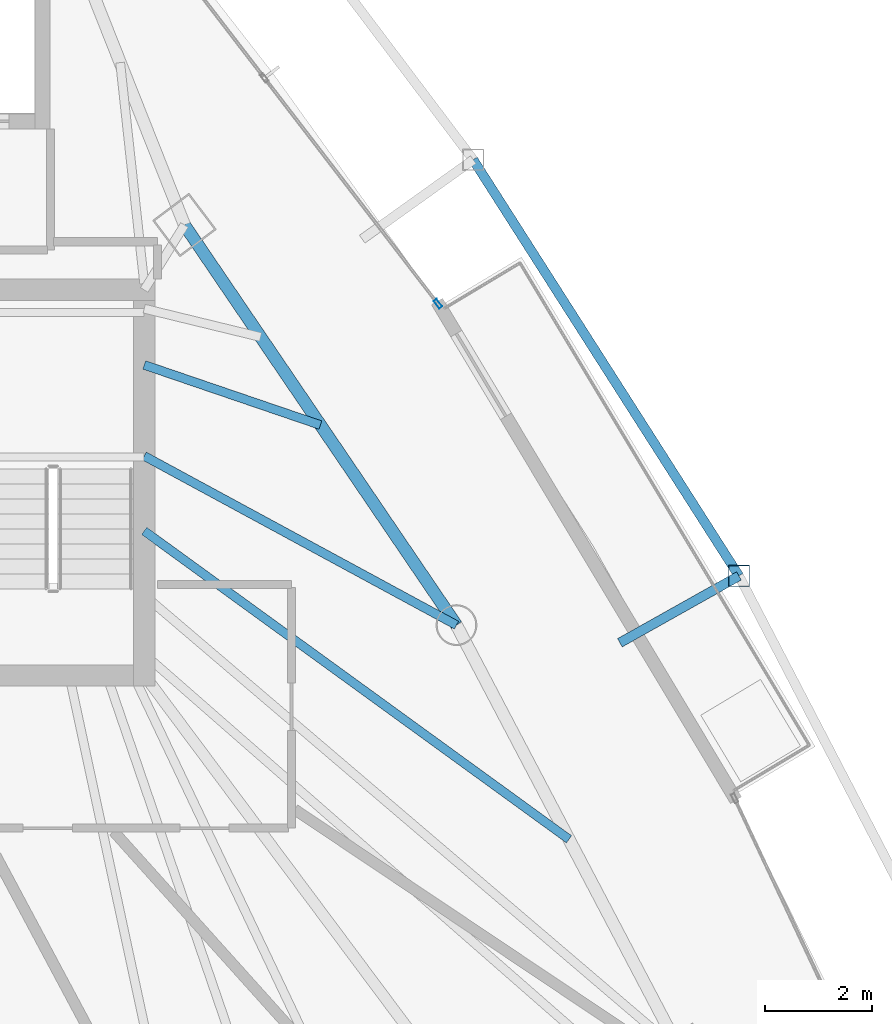
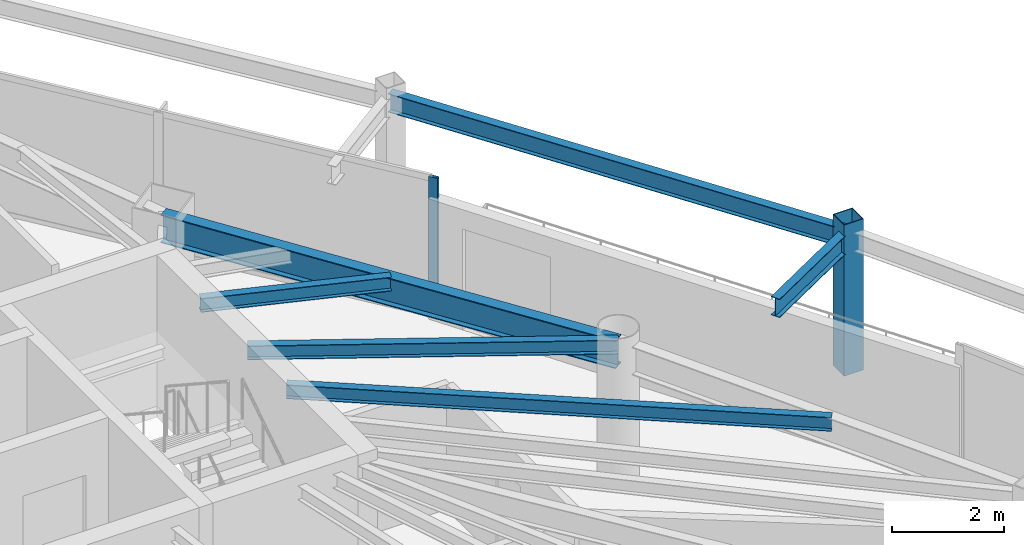
# One storey, part 20 of 30: 6 beams, 2 members, 1 element without a shape of its own.
"""IFC4 building model written with IfcOpenShell, lengths in metres."""

import ifcopenshell
import ifcopenshell.guid

model = None  # the IFC model being written
_history = None  # IfcOwnerHistory: only IFC2X3 demands one
_inside = {}  # id of a spatial element -> (the spatial element, [elements in it])
_under = {}  # id of a project, library or spatial element -> (it, [spatial elements below it])
_declared = {}  # id of a project -> (the project, [libraries it declares])
_typed = {}  # id of a type object -> (the type object, [elements of that type])
_made_of = {}  # id of a material, layer set ... -> (it, [elements and type objects made of it])


def new_model(schema):
    """Start an empty IFC model of exactly this schema.

    Asked for "IFC4X3", IfcOpenShell would pick the latest addendum, in which some entities
    have other attributes; the version numbers below select the first issue.
    IFC2X3 requires an IfcOwnerHistory on every rooted entity: one is made here for all.
    """
    global model, _history
    if schema == "IFC4X3":
        model = ifcopenshell.file(schema_version=(4, 3, 0, 0))
    else:
        model = ifcopenshell.file(schema=schema)
    _inside.clear()
    _under.clear()
    _declared.clear()
    _typed.clear()
    _made_of.clear()
    _history = None
    if model.schema == "IFC2X3":
        org = make("IfcOrganization", Name="unknown")
        user = make(
            "IfcPersonAndOrganization",
            ThePerson=make("IfcPerson", FamilyName="unknown"),
            TheOrganization=org,
        )
        app = make(
            "IfcApplication",
            ApplicationDeveloper=org,
            Version="unknown",
            ApplicationFullName="unknown",
            ApplicationIdentifier="unknown",
        )
        _history = make(
            "IfcOwnerHistory",
            OwningUser=user,
            OwningApplication=app,
            ChangeAction="ADDED",
            CreationDate=0,
        )
    return model


def make(cls, **values):
    """One entity of the class cls with the attributes given. An attribute that is None is left unset."""
    return model.create_entity(
        cls, **{name: value for name, value in values.items() if value is not None}
    )


def rooted(cls, **values):
    """An entity with a GlobalId (a new one), such as an element, a storey or a relation."""
    return make(cls, GlobalId=ifcopenshell.guid.new(), OwnerHistory=_history, **values)


def si_unit(unit_type, name, prefix=None):
    """IfcSIUnit, for example si_unit("LENGTHUNIT", "METRE", prefix="MILLI")."""
    return make("IfcSIUnit", UnitType=unit_type, Prefix=prefix, Name=name)


def assignment(units):
    """IfcUnitAssignment: the units of a project."""
    return None if units is None else make("IfcUnitAssignment", Units=units)


def point(xyz):
    """IfcCartesianPoint."""
    return None if xyz is None else make("IfcCartesianPoint", Coordinates=xyz)


def direction(xyz):
    """IfcDirection."""
    return None if xyz is None else make("IfcDirection", DirectionRatios=xyz)


def frame(location, z_axis=None, x_axis=None):
    """IfcAxis2Placement3D, a coordinate frame: its origin and axes. An axis left out is left unset."""
    return make(
        "IfcAxis2Placement3D",
        Location=point(location),
        Axis=direction(z_axis),
        RefDirection=direction(x_axis),
    )


def frame_2d(location, x_axis=None):
    """IfcAxis2Placement2D, a coordinate frame in the plane: its origin and x axis."""
    return make(
        "IfcAxis2Placement2D", Location=point(location), RefDirection=direction(x_axis)
    )


def origin():
    """The frame at (0, 0, 0) with its axes left unset."""
    return frame((0.0, 0.0, 0.0))


def origin_2d():
    """The frame at (0, 0) in the plane with its x axis left unset."""
    return frame_2d((0.0, 0.0))


def place(relative_to, where):
    """IfcLocalPlacement: puts the frame where relative to a parent placement (None: the world)."""
    return make(
        "IfcLocalPlacement", PlacementRelTo=relative_to, RelativePlacement=where
    )


def context(
    kind, dimensions, precision=None, world=None, true_north=None, identifier=None
):
    """IfcGeometricRepresentationContext, for example the 3D "Model" context."""
    return make(
        "IfcGeometricRepresentationContext",
        ContextIdentifier=identifier,
        ContextType=kind,
        CoordinateSpaceDimension=dimensions,
        Precision=precision,
        WorldCoordinateSystem=world,
        TrueNorth=true_north,
    )


def subcontext(parent, identifier, kind, view, scale=None):
    """IfcGeometricRepresentationSubContext, for example "Body" below "Model"."""
    return make(
        "IfcGeometricRepresentationSubContext",
        ContextIdentifier=identifier,
        ContextType=kind,
        ParentContext=parent,
        TargetScale=scale,
        TargetView=view,
    )


def project(units=None, contexts=None):
    """IfcProject with its units and contexts."""
    return rooted(
        "IfcProject",
        Name="project",
        RepresentationContexts=contexts,
        UnitsInContext=assignment(units),
    )


def spatial(cls, under=None, at=None, **own):
    """A site, building, storey or space (cls), placed at a placement, below another one or the project."""
    s = rooted(cls, ObjectPlacement=at, **own)
    if under is not None:
        _under.setdefault(under.id(), (under, []))[1].append(s)
    return s


def profile(cls, at=None, kind="AREA", **sizes):
    """A parametric profile (cls). Its sizes go by their IFC names, for example OverallWidth=200.0."""
    return make(cls, ProfileType=kind, Position=at, **sizes)


def hollow_rectangle(**sizes):
    """IfcRectangleHollowProfileDef."""
    return profile("IfcRectangleHollowProfileDef", **sizes)


def i_section(**sizes):
    """IfcIShapeProfileDef."""
    return profile("IfcIShapeProfileDef", **sizes)


def extrude(swept, where, along, depth):
    """IfcExtrudedAreaSolid: the profile swept, set in the frame where, extruded along a direction by depth."""
    return make(
        "IfcExtrudedAreaSolid",
        SweptArea=swept,
        Position=where,
        ExtrudedDirection=direction(along),
        Depth=depth,
    )


def shape(context_of_items, identifier, shape_type, items):
    """IfcShapeRepresentation: the items that make up one representation, for example the "Body"."""
    return make(
        "IfcShapeRepresentation",
        ContextOfItems=context_of_items,
        RepresentationIdentifier=identifier,
        RepresentationType=shape_type,
        Items=items,
    )


def material(Name=None, Category=None):
    """IfcMaterial."""
    return make("IfcMaterial", Name=Name, Category=Category)


def layer(
    of_material, thickness, ventilated=None, Name=None, Category=None, Priority=None
):
    """IfcMaterialLayer: one layer of a wall or slab, of a material (None: an air gap)."""
    return make(
        "IfcMaterialLayer",
        Material=of_material,
        LayerThickness=thickness,
        IsVentilated=ventilated,
        Name=Name,
        Category=Category,
        Priority=Priority,
    )


def layer_set(layers, Name=None):
    """IfcMaterialLayerSet."""
    return make("IfcMaterialLayerSet", MaterialLayers=layers, LayerSetName=Name)


def material_profile(
    of_material, cross_section, Name=None, Category=None, Priority=None
):
    """IfcMaterialProfile: a cross section and its material."""
    return make(
        "IfcMaterialProfile",
        Name=Name,
        Material=of_material,
        Profile=cross_section,
        Priority=Priority,
        Category=Category,
    )


def profile_set(profiles, Name=None, composite=None):
    """IfcMaterialProfileSet."""
    return make(
        "IfcMaterialProfileSet",
        Name=Name,
        MaterialProfiles=profiles,
        CompositeProfile=composite,
    )


def made_of(thing, what):
    """Note that an element or type object is made of a material, layer set ...; save() writes the relation."""
    if what is not None:
        _made_of.setdefault(what.id(), (what, []))[1].append(thing)
    return thing


def type_object(cls, material=None, **own):
    """A type object (cls), such as IfcWallType, which elements share."""
    return made_of(rooted(cls, **own), material)


def element(
    cls,
    number,
    at=None,
    inside=None,
    cuts=None,
    type_object=None,
    material=None,
    context=None,
    identifier="Body",
    shape_type=None,
    held_by="IfcProductDefinitionShape",
    body=None,
    shapes=None,
    **own,
):
    """One element of the class cls, such as IfcWall. Its Tag is "e" and its number.

    at: its placement. inside: the storey or other place that contains it. cuts: it is an
    opening in that element (IfcRelVoidsElement). A single representation is given by context,
    identifier, shape_type and body (its items); several are given by shapes. held_by: the class
    of the entity that holds the representations. save() writes the other relations.
    """
    e = rooted(cls, Tag="e%d" % number, ObjectPlacement=at, **own)
    if body is not None:
        shapes = [shape(context, identifier, shape_type, body)]
    if shapes is not None:
        e.Representation = make(held_by, Representations=shapes)
    if inside is not None:
        _inside.setdefault(inside.id(), (inside, []))[1].append(e)
    if cuts is not None:
        rooted(
            "IfcRelVoidsElement", RelatingBuildingElement=cuts, RelatedOpeningElement=e
        )
    if type_object is not None:
        _typed.setdefault(type_object.id(), (type_object, []))[1].append(e)
    return made_of(e, material)


def aggregate(whole, parts):
    """IfcRelAggregates: a whole, such as a stair, and the parts it consists of."""
    return rooted("IfcRelAggregates", RelatingObject=whole, RelatedObjects=parts)


def save(model, path):
    """Write the relations noted so far, then the file.

    IfcRelAggregates (storeys below a building ...), IfcRelContainedInSpatialStructure (elements
    in a storey), IfcRelDefinesByType, IfcRelAssociatesMaterial and IfcRelDeclares: one each for
    every whole, place, type object, material and project.
    """
    for whole, parts in _under.values():
        aggregate(whole, parts)
    for where, things in _inside.values():
        rooted(
            "IfcRelContainedInSpatialStructure",
            RelatedElements=things,
            RelatingStructure=where,
        )
    for kind, things in _typed.values():
        rooted("IfcRelDefinesByType", RelatedObjects=things, RelatingType=kind)
    for what, things in _made_of.values():
        rooted("IfcRelAssociatesMaterial", RelatedObjects=things, RelatingMaterial=what)
    for by, libraries in _declared.values():
        rooted("IfcRelDeclares", RelatingContext=by, RelatedDefinitions=libraries)
    model.write(path)


model = new_model("IFC4")

# Units and contexts
model_context = context("Model", 3, precision=1e-05, world=origin(), true_north=direction((0.0, 1.0)))
body_context = subcontext(model_context, "Body", "Model", "MODEL_VIEW")
ifc_project = project(units=[si_unit("LENGTHUNIT", "METRE"), si_unit("AREAUNIT", "SQUARE_METRE"), si_unit("VOLUMEUNIT", "CUBIC_METRE"), si_unit("PLANEANGLEUNIT", "RADIAN"), si_unit("MASSUNIT", "GRAM", prefix="KILO")], contexts=[model_context])

# Site, building, storey
site_placement = place(None, origin())
site = spatial("IfcSite", under=ifc_project, at=site_placement, CompositionType="ELEMENT")
building_placement = place(site_placement, origin())
building = spatial("IfcBuilding", under=site, at=building_placement, Name="Orvanel Arch Residences", CompositionType="ELEMENT")
storey_placement = place(building_placement, frame((0.0, 0.0, 180.35009765625)))
storey = spatial("IfcBuildingStorey", under=building, at=storey_placement, Name="L51", CompositionType="ELEMENT", Elevation=180.35009765625)

# Beams
ifc_material_1 = material(Name="Structural steel AS/NZS 3679.1 Grade 300 (300 MPa)", Category="steel")
ifc_material_profile_1 = material_profile(ifc_material_1, i_section(OverallWidth=0.1650390625, OverallDepth=0.303955078125, WebThickness=0.006103515625, FlangeThickness=0.01025390625, at=origin_2d()), Name="310UB40.4")
ifc_profile_set_1 = profile_set([ifc_material_profile_1], Name="Structural steel AS/NZS 3679.1 Grade 300 (300 MPa)")
beam_type_1 = type_object("IfcBeamType", Name="BJ-310UB", PredefinedType="JOIST", material=ifc_profile_set_1)
beam_1_placement = place(storey_placement, frame((39.60009765625, 30.800048828125, 2.907958984375), z_axis=(0.87925534649, -0.476350748576, 0.0), x_axis=(0.476350748576, 0.87925534649, 0.0)))
element("IfcBeam", 1, at=beam_1_placement, inside=storey, type_object=beam_type_1, Name="L51 NE Wing Floor Joist", PredefinedType="JOIST", context=body_context, shape_type="SweptSolid", body=[
    extrude(i_section(OverallWidth=0.1650390625, OverallDepth=0.303955078125, WebThickness=0.006103515625, FlangeThickness=0.01025390625, at=origin_2d()), origin(), (0.0, 0.0, 1.0), 6.631591796875),
])
beam_2_placement = place(storey_placement, frame((39.60009765625, 32.5, 2.907958984375), z_axis=(0.9464126781, -0.322959815969, 0.0), x_axis=(0.322959815969, 0.9464126781, 0.0)))
element("IfcBeam", 2, at=beam_2_placement, inside=storey, type_object=beam_type_1, Name="L51 ENE Wing Floor Joist", PredefinedType="JOIST", context=body_context, shape_type="SweptSolid", body=[
    extrude(i_section(OverallWidth=0.1650390625, OverallDepth=0.303955078125, WebThickness=0.006103515625, FlangeThickness=0.01025390625, at=origin_2d()), origin(), (0.0, 0.0, 1.0), 3.477294921875),
])
beam_3_placement = place(storey_placement, frame((39.60009765625, 29.39990234375, 2.907958984375), z_axis=(0.809261403954, -0.587448704203, 0.0), x_axis=(0.587448704203, 0.809261403954, 0.0)))
element("IfcBeam", 3, at=beam_3_placement, inside=storey, type_object=beam_type_1, Name="L51 CTE Wing Floor Joist", PredefinedType="JOIST", context=body_context, shape_type="SweptSolid", body=[
    extrude(i_section(OverallWidth=0.1650390625, OverallDepth=0.303955078125, WebThickness=0.006103515625, FlangeThickness=0.01025390625, at=origin_2d()), origin(), (0.0, 0.0, 1.0), 9.80126953125),
])

# Curtain wall, member
ifc_material_2 = material(Name="Bronze-anodised aluminium AA6063-T6", Category="aluminium")
ifc_layer = layer(ifc_material_2, 0.179931640625)
ifc_layer_set = layer_set([ifc_layer], Name="Bronze-anodised aluminium AA6063-T6")
curtain_wall_type = type_object("IfcCurtainWallType", Name="CW3-MID-SYS", PredefinedType="NOTDEFINED", material=ifc_layer_set)
curtain_wall_placement = place(storey_placement, origin())
curtain_wall = element("IfcCurtainWall", 4, at=curtain_wall_placement, inside=storey, type_object=curtain_wall_type, Name="L51 CW3-MID-SYS Unitised Curtain Wall", PredefinedType="NOTDEFINED")
ifc_material_profile_2 = material_profile(ifc_material_2, hollow_rectangle(XDim=0.070068359375, YDim=0.179931640625, WallThickness=0.00439453125, at=origin_2d()), Name="ALU180x70x4.5")
ifc_profile_set_2 = profile_set([ifc_material_profile_2], Name="Bronze-anodised aluminium AA6063-T6")
member_type_1 = type_object("IfcMemberType", Name="MUL-180x70", PredefinedType="MULLION", material=ifc_profile_set_2)
member_1_placement = place(storey_placement, frame((45.085693359375, 33.642822265625, 0.0), z_axis=(0.0, 0.0, 1.0), x_axis=(-0.792760568197, -0.609533166868, 0.0)))
member_1 = element("IfcMember", 5, at=member_1_placement, type_object=member_type_1, Name="CW-S3 mullion 1", PredefinedType="MULLION", context=body_context, shape_type="SweptSolid", body=[
    extrude(hollow_rectangle(XDim=0.070068359375, YDim=0.179931640625, WallThickness=0.00439453125, at=origin_2d()), origin(), (0.0, 0.0, 1.0), 3.059814453125),
])
aggregate(curtain_wall, [member_1])

# Beams
ifc_material_profile_3 = material_profile(ifc_material_1, i_section(OverallWidth=0.177978515625, OverallDepth=0.406005859375, WebThickness=0.0078125, FlangeThickness=0.0126953125, at=origin_2d()), Name="410UB59.7")
ifc_profile_set_3 = profile_set([ifc_material_profile_3], Name="Structural steel AS/NZS 3679.1 Grade 300 (300 MPa)")
beam_type_2 = type_object("IfcBeamType", Name="OB-410UB-EXT", PredefinedType="SPANDREL", material=ifc_profile_set_3)
beam_4_placement = place(storey_placement, frame((48.48291015625, 27.31201171875, 2.85693359375), z_axis=(0.871989522403, 0.489524537505, 0.0), x_axis=(-0.489524537505, 0.871989522403, 0.0)))
element("IfcBeam", 6, at=beam_4_placement, inside=storey, type_object=beam_type_2, Name="L51 Outer Frame Radial Tie Beam 10", PredefinedType="SPANDREL", context=body_context, shape_type="SweptSolid", body=[
    extrude(i_section(OverallWidth=0.177978515625, OverallDepth=0.406005859375, WebThickness=0.0078125, FlangeThickness=0.0126953125, at=origin_2d()), origin(), (0.0, 0.0, 1.0), 2.549560546875),
])
beam_5_placement = place(storey_placement, frame((50.7060546875, 28.56005859375, 2.85693359375), z_axis=(-0.538137514727, 0.842857055047, 0.0), x_axis=(-0.842857055047, -0.538137514727, 0.0)))
element("IfcBeam", 7, at=beam_5_placement, inside=storey, type_object=beam_type_2, Name="L51 Outer Perimeter Floor Ring Beam 10", PredefinedType="SPANDREL", context=body_context, shape_type="SweptSolid", body=[
    extrude(i_section(OverallWidth=0.177978515625, OverallDepth=0.406005859375, WebThickness=0.0078125, FlangeThickness=0.0126953125, at=origin_2d()), origin(), (0.0, 0.0, 1.0), 9.220947265625),
])
ifc_material_profile_4 = material_profile(ifc_material_1, i_section(OverallWidth=0.22900390625, OverallDepth=0.612060546875, WebThickness=0.011962890625, FlangeThickness=0.01953125, at=origin_2d()), Name="610UB125")
ifc_profile_set_4 = profile_set([ifc_material_profile_4], Name="Structural steel AS/NZS 3679.1 Grade 300 (300 MPa)")
beam_type_3 = type_object("IfcBeamType", Name="SP-610UB", PredefinedType="SPANDREL", material=ifc_profile_set_4)
beam_6_placement = place(storey_placement, frame((45.430908203125, 27.64111328125, 2.75390625), z_axis=(-0.562154793153, 0.827032035978, 0.0), x_axis=(-0.827032035978, -0.562154793153, 0.0)))
element("IfcBeam", 8, at=beam_6_placement, inside=storey, type_object=beam_type_3, Name="L51 Perimeter Spandrel Beam 12", PredefinedType="SPANDREL", context=body_context, shape_type="SweptSolid", body=[
    extrude(i_section(OverallWidth=0.22900390625, OverallDepth=0.612060546875, WebThickness=0.011962890625, FlangeThickness=0.01953125, at=origin_2d()), origin(), (0.0, 0.0, 1.0), 9.03466796875),
])

# Member
ifc_material_3 = material(Name="Structural steel AS/NZS 1163 C450L0 (Grade 450)", Category="steel")
ifc_material_profile_5 = material_profile(ifc_material_3, hollow_rectangle(XDim=0.39990234375, YDim=0.39990234375, WallThickness=0.01611328125, at=origin_2d()), Name="SHS400x400x16")
ifc_profile_set_5 = profile_set([ifc_material_profile_5], Name="Structural steel AS/NZS 1163 C450L0 (Grade 450)")
member_type_2 = type_object("IfcMemberType", Name="ST-400SHS-EXT", PredefinedType="STRUT", material=ifc_profile_set_5)
member_2_placement = place(storey_placement, frame((50.7060546875, 28.56005859375, 0.0), z_axis=(0.0, 0.0, 1.0), x_axis=(1.0, 0.0, 0.0)))
element("IfcMember", 9, at=member_2_placement, inside=storey, type_object=member_type_2, Name="L51 Outer Perimeter Frame Post 10", PredefinedType="STRUT", context=body_context, shape_type="SweptSolid", body=[
    extrude(hollow_rectangle(XDim=0.39990234375, YDim=0.39990234375, WallThickness=0.01611328125, at=origin_2d()), origin(), (0.0, 0.0, 1.0), 3.2998046875),
])

save(model, "model.ifc")
